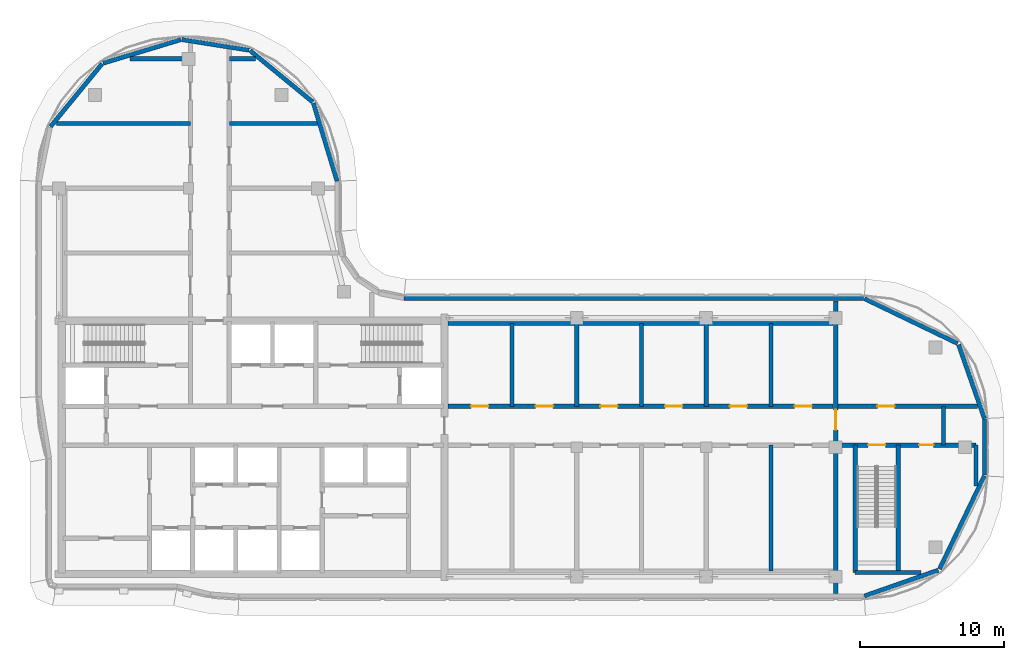
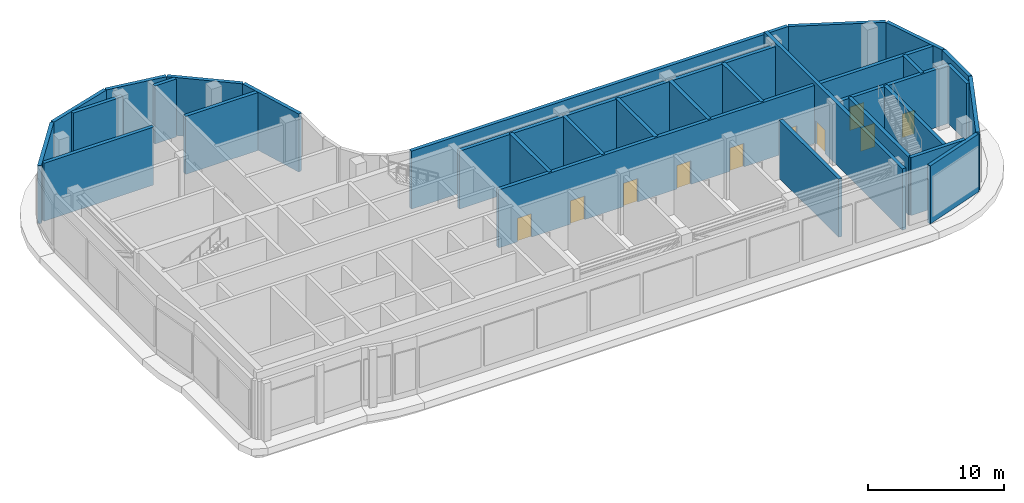
# One storey, part 4 of 14: 31 walls, 10 doors, 10 openings.
"""IFC4 building model written with IfcOpenShell, lengths in metres."""

import ifcopenshell
import ifcopenshell.guid

model = None  # the IFC model being written
_history = None  # IfcOwnerHistory: only IFC2X3 demands one
_inside = {}  # id of a spatial element -> (the spatial element, [elements in it])
_under = {}  # id of a project, library or spatial element -> (it, [spatial elements below it])
_declared = {}  # id of a project -> (the project, [libraries it declares])
_typed = {}  # id of a type object -> (the type object, [elements of that type])
_made_of = {}  # id of a material, layer set ... -> (it, [elements and type objects made of it])


def new_model(schema):
    """Start an empty IFC model of exactly this schema.

    Asked for "IFC4X3", IfcOpenShell would pick the latest addendum, in which some entities
    have other attributes; the version numbers below select the first issue.
    IFC2X3 requires an IfcOwnerHistory on every rooted entity: one is made here for all.
    """
    global model, _history
    if schema == "IFC4X3":
        model = ifcopenshell.file(schema_version=(4, 3, 0, 0))
    else:
        model = ifcopenshell.file(schema=schema)
    _inside.clear()
    _under.clear()
    _declared.clear()
    _typed.clear()
    _made_of.clear()
    _history = None
    if model.schema == "IFC2X3":
        org = make("IfcOrganization", Name="unknown")
        user = make(
            "IfcPersonAndOrganization",
            ThePerson=make("IfcPerson", FamilyName="unknown"),
            TheOrganization=org,
        )
        app = make(
            "IfcApplication",
            ApplicationDeveloper=org,
            Version="unknown",
            ApplicationFullName="unknown",
            ApplicationIdentifier="unknown",
        )
        _history = make(
            "IfcOwnerHistory",
            OwningUser=user,
            OwningApplication=app,
            ChangeAction="ADDED",
            CreationDate=0,
        )
    return model


def make(cls, **values):
    """One entity of the class cls with the attributes given. An attribute that is None is left unset."""
    return model.create_entity(
        cls, **{name: value for name, value in values.items() if value is not None}
    )


def rooted(cls, **values):
    """An entity with a GlobalId (a new one), such as an element, a storey or a relation."""
    return make(cls, GlobalId=ifcopenshell.guid.new(), OwnerHistory=_history, **values)


def si_unit(unit_type, name, prefix=None):
    """IfcSIUnit, for example si_unit("LENGTHUNIT", "METRE", prefix="MILLI")."""
    return make("IfcSIUnit", UnitType=unit_type, Prefix=prefix, Name=name)


def assignment(units):
    """IfcUnitAssignment: the units of a project."""
    return None if units is None else make("IfcUnitAssignment", Units=units)


def point(xyz):
    """IfcCartesianPoint."""
    return None if xyz is None else make("IfcCartesianPoint", Coordinates=xyz)


def direction(xyz):
    """IfcDirection."""
    return None if xyz is None else make("IfcDirection", DirectionRatios=xyz)


def frame(location, z_axis=None, x_axis=None):
    """IfcAxis2Placement3D, a coordinate frame: its origin and axes. An axis left out is left unset."""
    return make(
        "IfcAxis2Placement3D",
        Location=point(location),
        Axis=direction(z_axis),
        RefDirection=direction(x_axis),
    )


def frame_2d(location, x_axis=None):
    """IfcAxis2Placement2D, a coordinate frame in the plane: its origin and x axis."""
    return make(
        "IfcAxis2Placement2D", Location=point(location), RefDirection=direction(x_axis)
    )


def origin():
    """The frame at (0, 0, 0) with its axes left unset."""
    return frame((0.0, 0.0, 0.0))


def place(relative_to, where):
    """IfcLocalPlacement: puts the frame where relative to a parent placement (None: the world)."""
    return make(
        "IfcLocalPlacement", PlacementRelTo=relative_to, RelativePlacement=where
    )


def context(
    kind, dimensions, precision=None, world=None, true_north=None, identifier=None
):
    """IfcGeometricRepresentationContext, for example the 3D "Model" context."""
    return make(
        "IfcGeometricRepresentationContext",
        ContextIdentifier=identifier,
        ContextType=kind,
        CoordinateSpaceDimension=dimensions,
        Precision=precision,
        WorldCoordinateSystem=world,
        TrueNorth=true_north,
    )


def subcontext(parent, identifier, kind, view, scale=None):
    """IfcGeometricRepresentationSubContext, for example "Body" below "Model"."""
    return make(
        "IfcGeometricRepresentationSubContext",
        ContextIdentifier=identifier,
        ContextType=kind,
        ParentContext=parent,
        TargetScale=scale,
        TargetView=view,
    )


def project(units=None, contexts=None):
    """IfcProject with its units and contexts."""
    return rooted(
        "IfcProject",
        Name="project",
        RepresentationContexts=contexts,
        UnitsInContext=assignment(units),
    )


def spatial(cls, under=None, at=None, **own):
    """A site, building, storey or space (cls), placed at a placement, below another one or the project."""
    s = rooted(cls, ObjectPlacement=at, **own)
    if under is not None:
        _under.setdefault(under.id(), (under, []))[1].append(s)
    return s


def profile(cls, at=None, kind="AREA", **sizes):
    """A parametric profile (cls). Its sizes go by their IFC names, for example OverallWidth=200.0."""
    return make(cls, ProfileType=kind, Position=at, **sizes)


def rectangle(**sizes):
    """IfcRectangleProfileDef."""
    return profile("IfcRectangleProfileDef", **sizes)


def extrude(swept, where, along, depth):
    """IfcExtrudedAreaSolid: the profile swept, set in the frame where, extruded along a direction by depth."""
    return make(
        "IfcExtrudedAreaSolid",
        SweptArea=swept,
        Position=where,
        ExtrudedDirection=direction(along),
        Depth=depth,
    )


def shape(context_of_items, identifier, shape_type, items):
    """IfcShapeRepresentation: the items that make up one representation, for example the "Body"."""
    return make(
        "IfcShapeRepresentation",
        ContextOfItems=context_of_items,
        RepresentationIdentifier=identifier,
        RepresentationType=shape_type,
        Items=items,
    )


def material(Name=None, Category=None):
    """IfcMaterial."""
    return make("IfcMaterial", Name=Name, Category=Category)


def layer(
    of_material, thickness, ventilated=None, Name=None, Category=None, Priority=None
):
    """IfcMaterialLayer: one layer of a wall or slab, of a material (None: an air gap)."""
    return make(
        "IfcMaterialLayer",
        Material=of_material,
        LayerThickness=thickness,
        IsVentilated=ventilated,
        Name=Name,
        Category=Category,
        Priority=Priority,
    )


def layer_set(layers, Name=None):
    """IfcMaterialLayerSet."""
    return make("IfcMaterialLayerSet", MaterialLayers=layers, LayerSetName=Name)


def made_of(thing, what):
    """Note that an element or type object is made of a material, layer set ...; save() writes the relation."""
    if what is not None:
        _made_of.setdefault(what.id(), (what, []))[1].append(thing)
    return thing


def type_object(cls, material=None, **own):
    """A type object (cls), such as IfcWallType, which elements share."""
    return made_of(rooted(cls, **own), material)


def element(
    cls,
    number,
    at=None,
    inside=None,
    cuts=None,
    type_object=None,
    material=None,
    context=None,
    identifier="Body",
    shape_type=None,
    held_by="IfcProductDefinitionShape",
    body=None,
    shapes=None,
    **own,
):
    """One element of the class cls, such as IfcWall. Its Tag is "e" and its number.

    at: its placement. inside: the storey or other place that contains it. cuts: it is an
    opening in that element (IfcRelVoidsElement). A single representation is given by context,
    identifier, shape_type and body (its items); several are given by shapes. held_by: the class
    of the entity that holds the representations. save() writes the other relations.
    """
    e = rooted(cls, Tag="e%d" % number, ObjectPlacement=at, **own)
    if body is not None:
        shapes = [shape(context, identifier, shape_type, body)]
    if shapes is not None:
        e.Representation = make(held_by, Representations=shapes)
    if inside is not None:
        _inside.setdefault(inside.id(), (inside, []))[1].append(e)
    if cuts is not None:
        rooted(
            "IfcRelVoidsElement", RelatingBuildingElement=cuts, RelatedOpeningElement=e
        )
    if type_object is not None:
        _typed.setdefault(type_object.id(), (type_object, []))[1].append(e)
    return made_of(e, material)


def fill(opening, filler):
    """IfcRelFillsElement: the door or window that sits in an opening."""
    return rooted(
        "IfcRelFillsElement",
        RelatingOpeningElement=opening,
        RelatedBuildingElement=filler,
    )


def aggregate(whole, parts):
    """IfcRelAggregates: a whole, such as a stair, and the parts it consists of."""
    return rooted("IfcRelAggregates", RelatingObject=whole, RelatedObjects=parts)


def save(model, path):
    """Write the relations noted so far, then the file.

    IfcRelAggregates (storeys below a building ...), IfcRelContainedInSpatialStructure (elements
    in a storey), IfcRelDefinesByType, IfcRelAssociatesMaterial and IfcRelDeclares: one each for
    every whole, place, type object, material and project.
    """
    for whole, parts in _under.values():
        aggregate(whole, parts)
    for where, things in _inside.values():
        rooted(
            "IfcRelContainedInSpatialStructure",
            RelatedElements=things,
            RelatingStructure=where,
        )
    for kind, things in _typed.values():
        rooted("IfcRelDefinesByType", RelatedObjects=things, RelatingType=kind)
    for what, things in _made_of.values():
        rooted("IfcRelAssociatesMaterial", RelatedObjects=things, RelatingMaterial=what)
    for by, libraries in _declared.values():
        rooted("IfcRelDeclares", RelatingContext=by, RelatedDefinitions=libraries)
    model.write(path)


model = new_model("IFC4")

# Units and contexts
model_context = context("Model", 3, precision=1e-05, world=origin(), true_north=direction((0.0, 1.0)))
body_context = subcontext(model_context, "Body", "Model", "MODEL_VIEW")
ifc_project = project(units=[si_unit("LENGTHUNIT", "METRE"), si_unit("AREAUNIT", "SQUARE_METRE"), si_unit("VOLUMEUNIT", "CUBIC_METRE"), si_unit("PLANEANGLEUNIT", "RADIAN"), si_unit("MASSUNIT", "GRAM", prefix="KILO")], contexts=[model_context])

# Site, building, storey
site_placement = place(None, origin())
site = spatial("IfcSite", under=ifc_project, at=site_placement, CompositionType="ELEMENT")
building_placement = place(site_placement, origin())
building = spatial("IfcBuilding", under=site, at=building_placement, Name="Ogive Portal Towers", CompositionType="ELEMENT")
storey_placement = place(building_placement, frame((0.0, 0.0, 243.89990234375)))
storey = spatial("IfcBuildingStorey", under=building, at=storey_placement, Name="L61", CompositionType="ELEMENT", Elevation=243.89990234375)

# Walls
ifc_material_1 = material(Name="Limestone cladding on lightweight block wall", Category="masonry")
ifc_layer_1 = layer(ifc_material_1, 0.300048828125)
ifc_layer_set_1 = layer_set([ifc_layer_1], Name="EXTERNAL WALL 300 STONE")
wall_type_1 = type_object("IfcWallType", Name="EXTERNAL WALL 300 STONE", PredefinedType="SOLIDWALL", material=ifc_layer_set_1)
wall_1_placement = place(storey_placement, frame((87.49853515625, 20.158447265625, 0.0), z_axis=(0.0, 0.0, 1.0), x_axis=(0.943879346284, 0.330290447423, 0.0)))
element("IfcWall", 1, at=wall_1_placement, inside=storey, type_object=wall_type_1, Name="A:L61:f07:r0:wall", PredefinedType="SOLIDWALL", context=body_context, shape_type="SweptSolid", body=[
    extrude(rectangle(XDim=5.439453125, YDim=0.300048828125, at=frame_2d((2.7197265625, 0.0))), origin(), (0.0, 0.0, 1.0), 5.2001953125),
])
wall_2_placement = place(storey_placement, frame((92.718505859375, 22.031494140625, 0.0), z_axis=(0.0, 0.0, 1.0), x_axis=(0.433882040461, 0.90096968593, 0.0)))
element("IfcWall", 2, at=wall_2_placement, inside=storey, type_object=wall_type_1, Name="A:L61:f08:r0:wall", PredefinedType="SOLIDWALL", context=body_context, shape_type="SweptSolid", body=[
    extrude(rectangle(XDim=7.183349609375, YDim=0.300048828125, at=frame_2d((3.591796875, 0.0))), origin(), (0.0, 0.0, 1.0), 5.2001953125),
])
wall_3_placement = place(storey_placement, frame((95.85009765625, 28.568359375, 0.0), z_axis=(0.0, 0.0, 1.0), x_axis=(0.0, 1.0, 0.0)))
element("IfcWall", 3, at=wall_3_placement, inside=storey, type_object=wall_type_1, Name="A:L61:f09:r0:wall", PredefinedType="SOLIDWALL", context=body_context, shape_type="SweptSolid", body=[
    extrude(rectangle(XDim=3.880615234375, YDim=0.300048828125, at=frame_2d((1.9404296875, 0.0))), origin(), (0.0, 0.0, 1.0), 5.2001953125),
])
wall_4_placement = place(storey_placement, frame((95.841552734375, 32.49853515625, 0.0), z_axis=(0.0, 0.0, 1.0), x_axis=(-0.330290447423, 0.943879346284, 0.0)))
element("IfcWall", 4, at=wall_4_placement, inside=storey, type_object=wall_type_1, Name="A:L61:f10:r0:wall", PredefinedType="SOLIDWALL", context=body_context, shape_type="SweptSolid", body=[
    extrude(rectangle(XDim=5.439453125, YDim=0.300048828125, at=frame_2d((2.7197265625, 0.0))), origin(), (0.0, 0.0, 1.0), 5.2001953125),
])
wall_5_placement = place(storey_placement, frame((93.968505859375, 37.718505859375, 0.0), z_axis=(0.0, 0.0, 1.0), x_axis=(-0.90096968593, 0.433882040461, 0.0)))
element("IfcWall", 5, at=wall_5_placement, inside=storey, type_object=wall_type_1, Name="A:L61:f11:r0:wall", PredefinedType="SOLIDWALL", context=body_context, shape_type="SweptSolid", body=[
    extrude(rectangle(XDim=7.183349609375, YDim=0.300048828125, at=frame_2d((3.591796875, 0.0))), origin(), (0.0, 0.0, 1.0), 5.2001953125),
])
wall_6_placement = place(storey_placement, frame((87.431640625, 40.85009765625, 0.0), z_axis=(0.0, 0.0, 1.0), x_axis=(-1.0, 0.0, 0.0)))
element("IfcWall", 6, at=wall_6_placement, inside=storey, type_object=wall_type_1, Name="A:L61:f12:r0:wall", PredefinedType="SOLIDWALL", context=body_context, shape_type="SweptSolid", body=[
    extrude(rectangle(XDim=31.931640625, YDim=0.300048828125, at=frame_2d((15.9658203125, 0.0))), origin(), (0.0, 0.0, 1.0), 5.2001953125),
])
wall_7_placement = place(storey_placement, frame((50.843505859375, 48.9990234375, 0.0), z_axis=(0.0, 0.0, 1.0), x_axis=(-0.290289406989, 0.95693890097, 0.0)))
element("IfcWall", 7, at=wall_7_placement, inside=storey, type_object=wall_type_1, Name="A:L61:f18:r0:wall", PredefinedType="SOLIDWALL", context=body_context, shape_type="SweptSolid", body=[
    extrude(rectangle(XDim=5.670166015625, YDim=0.300048828125, at=frame_2d((2.8349609375, 0.0))), origin(), (0.0, 0.0, 1.0), 5.2001953125),
])
wall_8_placement = place(storey_placement, frame((49.149169921875, 54.49755859375, 0.0), z_axis=(0.0, 0.0, 1.0), x_axis=(-0.773023777565, 0.634377048229, 0.0)))
element("IfcWall", 8, at=wall_8_placement, inside=storey, type_object=wall_type_1, Name="A:L61:f19:r0:wall", PredefinedType="SOLIDWALL", context=body_context, shape_type="SweptSolid", body=[
    extrude(rectangle(XDim=5.633056640625, YDim=0.300048828125, at=frame_2d((2.81640625, 0.0))), origin(), (0.0, 0.0, 1.0), 5.2001953125),
])
wall_9_placement = place(storey_placement, frame((44.722900390625, 58.103271484375, 0.0), z_axis=(0.0, 0.0, 1.0), x_axis=(-0.98779137081, 0.155782565629, 0.0)))
element("IfcWall", 9, at=wall_9_placement, inside=storey, type_object=wall_type_1, Name="A:L61:f20:r0:wall", PredefinedType="SOLIDWALL", context=body_context, shape_type="SweptSolid", body=[
    extrude(rectangle(XDim=4.736083984375, YDim=0.300048828125, at=frame_2d((2.3681640625, 0.0))), origin(), (0.0, 0.0, 1.0), 5.2001953125),
])
wall_10_placement = place(storey_placement, frame((39.977783203125, 58.83642578125, 0.0), z_axis=(0.0, 0.0, 1.0), x_axis=(-0.956941081769, -0.29028221789, 0.0)))
element("IfcWall", 10, at=wall_10_placement, inside=storey, type_object=wall_type_1, Name="A:L61:f21:r0:wall", PredefinedType="SOLIDWALL", context=body_context, shape_type="SweptSolid", body=[
    extrude(rectangle(XDim=5.64599609375, YDim=0.300048828125, at=frame_2d((2.822998046875, 0.0))), origin(), (0.0, 0.0, 1.0), 5.2001953125),
])
wall_11_placement = place(storey_placement, frame((34.50244140625, 57.149169921875, 0.0), z_axis=(0.0, 0.0, 1.0), x_axis=(-0.63439223677, -0.773011312936, 0.0)))
element("IfcWall", 11, at=wall_11_placement, inside=storey, type_object=wall_type_1, Name="A:L61:f22:r0:wall", PredefinedType="SOLIDWALL", context=body_context, shape_type="SweptSolid", body=[
    extrude(rectangle(XDim=5.639404296875, YDim=0.300048828125, at=frame_2d((2.81982421875, 0.0))), origin(), (0.0, 0.0, 1.0), 5.2001953125),
])

# Wall, opening, door
ifc_material_2 = material(Name="Concrete C60/75", Category="concrete")
ifc_layer_2 = layer(ifc_material_2, 0.300048828125)
ifc_layer_set_2 = layer_set([ifc_layer_2], Name="REVEAL WALL 300 C60")
wall_type_2 = type_object("IfcWallType", Name="REVEAL WALL 300 C60", PredefinedType="SHEAR", material=ifc_layer_set_2)
wall_12_placement = place(storey_placement, frame((85.5, 20.35009765625, 0.0), z_axis=(0.0, 0.0, 1.0), x_axis=(0.0, 1.0, 0.0)))
wall_12 = element("IfcWall", 12, at=wall_12_placement, inside=storey, type_object=wall_type_2, Name="Portal reveal wall L61", PredefinedType="SHEAR", context=body_context, shape_type="SweptSolid", body=[
    extrude(rectangle(XDim=20.2998046875, YDim=0.300048828125, at=frame_2d((10.14990234375, 0.0))), origin(), (0.0, 0.0, 1.0), 5.5),
])
opening_1_placement = place(wall_12_placement, frame((11.35009765625, 0.0, 0.0)))
opening_1 = element("IfcOpeningElement", 13, at=opening_1_placement, cuts=wall_12, Name="Opening D27-048", PredefinedType="OPENING", context=body_context, shape_type="SweptSolid", body=[
    extrude(rectangle(XDim=1.39990234375, YDim=2.10009765625, at=frame_2d((0.699951171875, 1.050048828125))), frame((0.0, 0.16015625, 0.0), z_axis=(0.0, -1.0, 0.0), x_axis=(1.0, 0.0, 0.0)), (0.0, 0.0, 1.0), 0.320068359375),
])
ifc_material_3 = material(Name="Steel fire door", Category="steel")
door_type_1 = type_object("IfcDoorType", Name="DT-STAIR-1400x2100-FD90S", OperationType="SINGLE_SWING_LEFT", PredefinedType="DOOR", material=ifc_material_3)
door_1_placement = place(opening_1_placement, origin())
door_1 = element("IfcDoor", 14, at=door_1_placement, inside=storey, type_object=door_type_1, Name="Door D27-048", OperationType="SINGLE_SWING_RIGHT", OverallHeight=2.10009765625, OverallWidth=1.39990234375, PredefinedType="DOOR", context=body_context, shape_type="SweptSolid", body=[
    extrude(rectangle(XDim=1.39990234375, YDim=2.10009765625, at=frame_2d((0.699951171875, 1.050048828125))), frame((0.0, 0.02490234375, 0.0), z_axis=(0.0, -1.0, 0.0), x_axis=(1.0, 0.0, 0.0)), (0.0, 0.0, 1.0), 0.050048828125),
])
fill(opening_1, door_1)

# Wall
ifc_material_4 = material(Name="Concrete C50/60", Category="concrete")
ifc_layer_3 = layer(ifc_material_4, 0.300048828125)
ifc_layer_set_3 = layer_set([ifc_layer_3], Name="STAIR WALL 300 C50")
wall_type_3 = type_object("IfcWallType", Name="STAIR WALL 300 C50", PredefinedType="SHEAR", material=ifc_layer_set_3)
wall_13_placement = place(storey_placement, frame((86.85009765625, 21.800048828125, 0.0), z_axis=(0.0, 0.0, 1.0), x_axis=(1.0, 0.0, 0.0)))
element("IfcWall", 15, at=wall_13_placement, inside=storey, type_object=wall_type_3, Name="Stair wall ST-A4 L61", PredefinedType="SHEAR", context=body_context, shape_type="SweptSolid", body=[
    extrude(rectangle(XDim=4.595947265625, YDim=0.300048828125, at=frame_2d((2.2978515625, 0.0))), origin(), (0.0, 0.0, 1.0), 5.2001953125),
])

# Wall, openings, doors
wall_14_placement = place(storey_placement, frame((85.669921875, 30.64990234375, 0.0), z_axis=(0.0, 0.0, 1.0), x_axis=(1.0, 0.0, 0.0)))
wall_14 = element("IfcWall", 16, at=wall_14_placement, inside=storey, type_object=wall_type_3, Name="Stair wall ST-A4 L61", PredefinedType="SHEAR", context=body_context, shape_type="SweptSolid", body=[
    extrude(rectangle(XDim=9.580078125, YDim=0.300048828125, at=frame_2d((4.7900390625, 0.0))), origin(), (0.0, 0.0, 1.0), 5.2001953125),
])
opening_2_placement = place(wall_14_placement, frame((2.080078125, 0.0, 0.0)))
opening_2 = element("IfcOpeningElement", 17, at=opening_2_placement, cuts=wall_14, Name="Opening D27-045", PredefinedType="OPENING", context=body_context, shape_type="SweptSolid", body=[
    extrude(rectangle(XDim=1.199951171875, YDim=2.10009765625, at=frame_2d((0.60009765625, 1.050048828125))), frame((0.0, 0.16015625, 0.0), z_axis=(0.0, -1.0, 0.0), x_axis=(1.0, 0.0, 0.0)), (0.0, 0.0, 1.0), 0.320068359375),
])
opening_3_placement = place(wall_14_placement, frame((5.6298828125, 0.0, 0.0)))
opening_3 = element("IfcOpeningElement", 18, at=opening_3_placement, cuts=wall_14, Name="Opening D27-047", PredefinedType="OPENING", context=body_context, shape_type="SweptSolid", body=[
    extrude(rectangle(XDim=1.0, YDim=2.10009765625, at=frame_2d((0.5, 1.050048828125))), frame((0.0, 0.16015625, 0.0), z_axis=(0.0, -1.0, 0.0), x_axis=(1.0, 0.0, 0.0)), (0.0, 0.0, 1.0), 0.320068359375),
])
door_type_2 = type_object("IfcDoorType", Name="DT-SERVICE-1000x2100-FD90S", OperationType="SINGLE_SWING_LEFT", PredefinedType="DOOR", material=ifc_material_3)
door_2_placement = place(opening_3_placement, origin())
door_2 = element("IfcDoor", 19, at=door_2_placement, inside=storey, type_object=door_type_2, Name="Riser access door D27-047", OperationType="SINGLE_SWING_LEFT", OverallHeight=2.10009765625, OverallWidth=1.0, PredefinedType="DOOR", context=body_context, shape_type="SweptSolid", body=[
    extrude(rectangle(XDim=1.0, YDim=2.10009765625, at=frame_2d((0.5, 1.050048828125))), frame((0.0, 0.02490234375, 0.0), z_axis=(0.0, -1.0, 0.0), x_axis=(1.0, 0.0, 0.0)), (0.0, 0.0, 1.0), 0.050048828125),
])
fill(opening_3, door_2)
door_type_3 = type_object("IfcDoorType", Name="DT-STAIR-1200x2100-FD90S", OperationType="SINGLE_SWING_LEFT", PredefinedType="DOOR", material=ifc_material_3)
door_3_placement = place(opening_2_placement, origin())
door_3 = element("IfcDoor", 20, at=door_3_placement, inside=storey, type_object=door_type_3, Name="Door D27-045", OperationType="SINGLE_SWING_LEFT", OverallHeight=2.10009765625, OverallWidth=1.199951171875, PredefinedType="DOOR", context=body_context, shape_type="SweptSolid", body=[
    extrude(rectangle(XDim=1.199951171875, YDim=2.10009765625, at=frame_2d((0.60009765625, 1.050048828125))), frame((0.0, 0.02490234375, 0.0), z_axis=(0.0, -1.0, 0.0), x_axis=(1.0, 0.0, 0.0)), (0.0, 0.0, 1.0), 0.050048828125),
])
fill(opening_2, door_3)

# Walls
for number, where, z_axis, x_axis, name in (
    (21, (86.85009765625, 21.800048828125, 0.0), (0.0, 0.0, 1.0), (0.0, 1.0, 0.0), "Stair wall ST-A4 L61"),
    (22, (89.85009765625, 21.800048828125, 0.0), (0.0, 0.0, 1.0), (0.0, 1.0, 0.0), "Stair wall ST-A4 L61"),
):
    element("IfcWall", number, at=place(storey_placement, frame(where, z_axis=z_axis, x_axis=x_axis)), inside=storey, type_object=wall_type_3, Name=name, PredefinedType="SHEAR", context=body_context, shape_type="SweptSolid", body=[
        extrude(rectangle(XDim=8.849853515625, YDim=0.300048828125, at=frame_2d((4.4248046875, 0.0))), origin(), (0.0, 0.0, 1.0), 5.2001953125),
    ])

# Wall, openings, doors
ifc_material_5 = material(Name="Gypsum board partition on steel studs", Category="steel")
ifc_layer_4 = layer(ifc_material_5, 0.300048828125)
ifc_layer_set_4 = layer_set([ifc_layer_4], Name="WT-PART-300-EI 120")
wall_type_4 = type_object("IfcWallType", Name="WT-PART-300-EI 120", PredefinedType="PARTITIONING", material=ifc_layer_set_4)
wall_15_placement = place(storey_placement, frame((58.550048828125, 33.35009765625, 0.0), z_axis=(0.0, 0.0, 1.0), x_axis=(1.0, 0.0, 0.0)))
wall_15 = element("IfcWall", 23, at=wall_15_placement, inside=storey, type_object=wall_type_4, Name="Wall L61:w005", PredefinedType="PARTITIONING", context=body_context, shape_type="SweptSolid", body=[
    extrude(rectangle(XDim=26.780029296875, YDim=0.300048828125, at=frame_2d((13.39013671875, 0.0))), origin(), (0.0, 0.0, 1.0), 5.2001953125),
])
opening_4_placement = place(wall_15_placement, frame((1.60009765625, 0.0, 0.0)))
opening_4 = element("IfcOpeningElement", 24, at=opening_4_placement, cuts=wall_15, Name="Opening D27-025", PredefinedType="OPENING", context=body_context, shape_type="SweptSolid", body=[
    extrude(rectangle(XDim=1.199951171875, YDim=2.10009765625, at=frame_2d((0.60009765625, 1.050048828125))), frame((0.0, 0.16015625, 0.0), z_axis=(0.0, -1.0, 0.0), x_axis=(1.0, 0.0, 0.0)), (0.0, 0.0, 1.0), 0.320068359375),
])
opening_5_placement = place(wall_15_placement, frame((6.10009765625, 0.0, 0.0)))
opening_5 = element("IfcOpeningElement", 25, at=opening_5_placement, cuts=wall_15, Name="Opening D27-026", PredefinedType="OPENING", context=body_context, shape_type="SweptSolid", body=[
    extrude(rectangle(XDim=1.199951171875, YDim=2.10009765625, at=frame_2d((0.60009765625, 1.050048828125))), frame((0.0, 0.16015625, 0.0), z_axis=(0.0, -1.0, 0.0), x_axis=(1.0, 0.0, 0.0)), (0.0, 0.0, 1.0), 0.320068359375),
])
opening_6_placement = place(wall_15_placement, frame((10.60009765625, 0.0, 0.0)))
opening_6 = element("IfcOpeningElement", 26, at=opening_6_placement, cuts=wall_15, Name="Opening D27-029", PredefinedType="OPENING", context=body_context, shape_type="SweptSolid", body=[
    extrude(rectangle(XDim=1.199951171875, YDim=2.10009765625, at=frame_2d((0.60009765625, 1.050048828125))), frame((0.0, 0.16015625, 0.0), z_axis=(0.0, -1.0, 0.0), x_axis=(1.0, 0.0, 0.0)), (0.0, 0.0, 1.0), 0.320068359375),
])
opening_7_placement = place(wall_15_placement, frame((15.10009765625, 0.0, 0.0)))
opening_7 = element("IfcOpeningElement", 27, at=opening_7_placement, cuts=wall_15, Name="Opening D27-030", PredefinedType="OPENING", context=body_context, shape_type="SweptSolid", body=[
    extrude(rectangle(XDim=1.199951171875, YDim=2.10009765625, at=frame_2d((0.60009765625, 1.050048828125))), frame((0.0, 0.16015625, 0.0), z_axis=(0.0, -1.0, 0.0), x_axis=(1.0, 0.0, 0.0)), (0.0, 0.0, 1.0), 0.320068359375),
])
opening_8_placement = place(wall_15_placement, frame((19.60009765625, 0.0, 0.0)))
opening_8 = element("IfcOpeningElement", 28, at=opening_8_placement, cuts=wall_15, Name="Opening D27-033", PredefinedType="OPENING", context=body_context, shape_type="SweptSolid", body=[
    extrude(rectangle(XDim=1.199951171875, YDim=2.10009765625, at=frame_2d((0.60009765625, 1.050048828125))), frame((0.0, 0.16015625, 0.0), z_axis=(0.0, -1.0, 0.0), x_axis=(1.0, 0.0, 0.0)), (0.0, 0.0, 1.0), 0.320068359375),
])
opening_9_placement = place(wall_15_placement, frame((24.10009765625, 0.0, 0.0)))
opening_9 = element("IfcOpeningElement", 29, at=opening_9_placement, cuts=wall_15, Name="Opening D27-034", PredefinedType="OPENING", context=body_context, shape_type="SweptSolid", body=[
    extrude(rectangle(XDim=1.199951171875, YDim=2.10009765625, at=frame_2d((0.60009765625, 1.050048828125))), frame((0.0, 0.16015625, 0.0), z_axis=(0.0, -1.0, 0.0), x_axis=(1.0, 0.0, 0.0)), (0.0, 0.0, 1.0), 0.320068359375),
])
door_type_4 = type_object("IfcDoorType", Name="DT-ENTRY-1200x2100-FD90S", OperationType="SINGLE_SWING_LEFT", PredefinedType="DOOR", material=ifc_material_3)
door_4_placement = place(opening_4_placement, origin())
door_4 = element("IfcDoor", 30, at=door_4_placement, inside=storey, type_object=door_type_4, Name="Door D27-025", OperationType="SINGLE_SWING_LEFT", OverallHeight=2.10009765625, OverallWidth=1.199951171875, PredefinedType="DOOR", context=body_context, shape_type="SweptSolid", body=[
    extrude(rectangle(XDim=1.199951171875, YDim=2.10009765625, at=frame_2d((0.60009765625, 1.050048828125))), frame((0.0, 0.02490234375, 0.0), z_axis=(0.0, -1.0, 0.0), x_axis=(1.0, 0.0, 0.0)), (0.0, 0.0, 1.0), 0.050048828125),
])
fill(opening_4, door_4)
door_5_placement = place(opening_5_placement, origin())
door_5 = element("IfcDoor", 31, at=door_5_placement, inside=storey, type_object=door_type_4, Name="Door D27-026", OperationType="SINGLE_SWING_LEFT", OverallHeight=2.10009765625, OverallWidth=1.199951171875, PredefinedType="DOOR", context=body_context, shape_type="SweptSolid", body=[
    extrude(rectangle(XDim=1.199951171875, YDim=2.10009765625, at=frame_2d((0.60009765625, 1.050048828125))), frame((0.0, 0.02490234375, 0.0), z_axis=(0.0, -1.0, 0.0), x_axis=(1.0, 0.0, 0.0)), (0.0, 0.0, 1.0), 0.050048828125),
])
fill(opening_5, door_5)
door_6_placement = place(opening_6_placement, origin())
door_6 = element("IfcDoor", 32, at=door_6_placement, inside=storey, type_object=door_type_4, Name="Door D27-029", OperationType="SINGLE_SWING_LEFT", OverallHeight=2.10009765625, OverallWidth=1.199951171875, PredefinedType="DOOR", context=body_context, shape_type="SweptSolid", body=[
    extrude(rectangle(XDim=1.199951171875, YDim=2.10009765625, at=frame_2d((0.60009765625, 1.050048828125))), frame((0.0, 0.02490234375, 0.0), z_axis=(0.0, -1.0, 0.0), x_axis=(1.0, 0.0, 0.0)), (0.0, 0.0, 1.0), 0.050048828125),
])
fill(opening_6, door_6)
door_7_placement = place(opening_7_placement, origin())
door_7 = element("IfcDoor", 33, at=door_7_placement, inside=storey, type_object=door_type_4, Name="Door D27-030", OperationType="SINGLE_SWING_RIGHT", OverallHeight=2.10009765625, OverallWidth=1.199951171875, PredefinedType="DOOR", context=body_context, shape_type="SweptSolid", body=[
    extrude(rectangle(XDim=1.199951171875, YDim=2.10009765625, at=frame_2d((0.60009765625, 1.050048828125))), frame((0.0, 0.02490234375, 0.0), z_axis=(0.0, -1.0, 0.0), x_axis=(1.0, 0.0, 0.0)), (0.0, 0.0, 1.0), 0.050048828125),
])
fill(opening_7, door_7)
door_8_placement = place(opening_8_placement, origin())
door_8 = element("IfcDoor", 34, at=door_8_placement, inside=storey, type_object=door_type_4, Name="Door D27-033", OperationType="SINGLE_SWING_RIGHT", OverallHeight=2.10009765625, OverallWidth=1.199951171875, PredefinedType="DOOR", context=body_context, shape_type="SweptSolid", body=[
    extrude(rectangle(XDim=1.199951171875, YDim=2.10009765625, at=frame_2d((0.60009765625, 1.050048828125))), frame((0.0, 0.02490234375, 0.0), z_axis=(0.0, -1.0, 0.0), x_axis=(1.0, 0.0, 0.0)), (0.0, 0.0, 1.0), 0.050048828125),
])
fill(opening_8, door_8)
door_9_placement = place(opening_9_placement, origin())
door_9 = element("IfcDoor", 35, at=door_9_placement, inside=storey, type_object=door_type_4, Name="Door D27-034", OperationType="SINGLE_SWING_LEFT", OverallHeight=2.10009765625, OverallWidth=1.199951171875, PredefinedType="DOOR", context=body_context, shape_type="SweptSolid", body=[
    extrude(rectangle(XDim=1.199951171875, YDim=2.10009765625, at=frame_2d((0.60009765625, 1.050048828125))), frame((0.0, 0.02490234375, 0.0), z_axis=(0.0, -1.0, 0.0), x_axis=(1.0, 0.0, 0.0)), (0.0, 0.0, 1.0), 0.050048828125),
])
fill(opening_9, door_9)

# Wall, opening, door
wall_16_placement = place(storey_placement, frame((85.669921875, 33.35009765625, 0.0), z_axis=(0.0, 0.0, 1.0), x_axis=(1.0, 0.0, 0.0)))
wall_16 = element("IfcWall", 36, at=wall_16_placement, inside=storey, type_object=wall_type_4, Name="Wall L61:w006", PredefinedType="PARTITIONING", context=body_context, shape_type="SweptSolid", body=[
    extrude(rectangle(XDim=9.705078125, YDim=0.300048828125, at=frame_2d((4.8525390625, 0.0))), origin(), (0.0, 0.0, 1.0), 5.2001953125),
])
opening_10_placement = place(wall_16_placement, frame((2.72998046875, 0.0, 0.0)))
opening_10 = element("IfcOpeningElement", 37, at=opening_10_placement, cuts=wall_16, Name="Opening D27-046", PredefinedType="OPENING", context=body_context, shape_type="SweptSolid", body=[
    extrude(rectangle(XDim=1.199951171875, YDim=2.10009765625, at=frame_2d((0.60009765625, 1.050048828125))), frame((0.0, 0.16015625, 0.0), z_axis=(0.0, -1.0, 0.0), x_axis=(1.0, 0.0, 0.0)), (0.0, 0.0, 1.0), 0.320068359375),
])
door_10_placement = place(opening_10_placement, origin())
door_10 = element("IfcDoor", 38, at=door_10_placement, inside=storey, type_object=door_type_3, Name="Door D27-046", OperationType="SINGLE_SWING_LEFT", OverallHeight=2.10009765625, OverallWidth=1.199951171875, PredefinedType="DOOR", context=body_context, shape_type="SweptSolid", body=[
    extrude(rectangle(XDim=1.199951171875, YDim=2.10009765625, at=frame_2d((0.60009765625, 1.050048828125))), frame((0.0, 0.02490234375, 0.0), z_axis=(0.0, -1.0, 0.0), x_axis=(1.0, 0.0, 0.0)), (0.0, 0.0, 1.0), 0.050048828125),
])
fill(opening_10, door_10)

# Walls
wall_17_placement = place(storey_placement, frame((93.0, 30.64990234375, 0.0), z_axis=(0.0, 0.0, 1.0), x_axis=(0.0, 1.0, 0.0)))
element("IfcWall", 39, at=wall_17_placement, inside=storey, type_object=wall_type_4, Name="Wall L61:w033", PredefinedType="PARTITIONING", context=body_context, shape_type="SweptSolid", body=[
    extrude(rectangle(XDim=2.7001953125, YDim=0.300048828125, at=frame_2d((1.35009765625, 0.0))), origin(), (0.0, 0.0, 1.0), 5.2001953125),
])
ifc_layer_5 = layer(ifc_material_5, 0.300048828125)
ifc_layer_set_5 = layer_set([ifc_layer_5], Name="WT-PART-300-EI 60")
wall_type_5 = type_object("IfcWallType", Name="WT-PART-300-EI 60", PredefinedType="PARTITIONING", material=ifc_layer_set_5)
wall_18_placement = place(storey_placement, frame((58.550048828125, 39.10009765625, 0.0), z_axis=(0.0, 0.0, 1.0), x_axis=(1.0, 0.0, 0.0)))
element("IfcWall", 40, at=wall_18_placement, inside=storey, type_object=wall_type_5, Name="Wall L61:w007", PredefinedType="PARTITIONING", context=body_context, shape_type="SweptSolid", body=[
    extrude(rectangle(XDim=26.780029296875, YDim=0.300048828125, at=frame_2d((13.39013671875, 0.0))), origin(), (0.0, 0.0, 1.0), 5.2001953125),
])
wall_19_placement = place(storey_placement, frame((31.35107421875, 53.0, 0.0), z_axis=(0.0, 0.0, 1.0), x_axis=(1.0, 0.0, 0.0)))
element("IfcWall", 41, at=wall_19_placement, inside=storey, type_object=wall_type_5, Name="Wall L61:w012", PredefinedType="PARTITIONING", context=body_context, shape_type="SweptSolid", body=[
    extrude(rectangle(XDim=9.298828125, YDim=0.300048828125, at=frame_2d((4.6494140625, 0.0))), origin(), (0.0, 0.0, 1.0), 5.2001953125),
])
wall_20_placement = place(storey_placement, frame((43.35009765625, 53.0, 0.0), z_axis=(0.0, 0.0, 1.0), x_axis=(1.0, 0.0, 0.0)))
element("IfcWall", 42, at=wall_20_placement, inside=storey, type_object=wall_type_5, Name="Wall L61:w013", PredefinedType="PARTITIONING", context=body_context, shape_type="SweptSolid", body=[
    extrude(rectangle(XDim=6.118896484375, YDim=0.300048828125, at=frame_2d((3.0595703125, 0.0))), origin(), (0.0, 0.0, 1.0), 5.2001953125),
])
wall_21_placement = place(storey_placement, frame((36.43896484375, 57.5, 0.0), z_axis=(0.0, 0.0, 1.0), x_axis=(1.0, 0.0, 0.0)))
element("IfcWall", 43, at=wall_21_placement, inside=storey, type_object=wall_type_5, Name="Wall L61:w014", PredefinedType="PARTITIONING", context=body_context, shape_type="SweptSolid", body=[
    extrude(rectangle(XDim=4.2109375, YDim=0.300048828125, at=frame_2d((2.10546875, 0.0))), origin(), (0.0, 0.0, 1.0), 5.2001953125),
])
wall_22_placement = place(storey_placement, frame((43.35009765625, 57.5, 0.0), z_axis=(0.0, 0.0, 1.0), x_axis=(1.0, 0.0, 0.0)))
element("IfcWall", 44, at=wall_22_placement, inside=storey, type_object=wall_type_5, Name="Wall L61:w015", PredefinedType="PARTITIONING", context=body_context, shape_type="SweptSolid", body=[
    extrude(rectangle(XDim=1.81689453125, YDim=0.300048828125, at=frame_2d((0.908447265625, 0.0))), origin(), (0.0, 0.0, 1.0), 5.2001953125),
])
for number, where, z_axis, x_axis, name in (
    (45, (63.0, 33.35009765625, 0.0), (0.0, 0.0, 1.0), (0.0, 1.0, 0.0), "Wall L61:w022"),
    (46, (67.5, 33.35009765625, 0.0), (0.0, 0.0, 1.0), (0.0, 1.0, 0.0), "Wall L61:w024"),
    (47, (72.0, 33.35009765625, 0.0), (0.0, 0.0, 1.0), (0.0, 1.0, 0.0), "Wall L61:w026"),
    (48, (76.5, 33.35009765625, 0.0), (0.0, 0.0, 1.0), (0.0, 1.0, 0.0), "Wall L61:w028"),
):
    element("IfcWall", number, at=place(storey_placement, frame(where, z_axis=z_axis, x_axis=x_axis)), inside=storey, type_object=wall_type_5, Name=name, PredefinedType="PARTITIONING", context=body_context, shape_type="SweptSolid", body=[
        extrude(rectangle(XDim=5.75, YDim=0.300048828125, at=frame_2d((2.875, 0.0))), origin(), (0.0, 0.0, 1.0), 5.2001953125),
    ])
wall_23_placement = place(storey_placement, frame((81.0, 21.89990234375, 0.0), z_axis=(0.0, 0.0, 1.0), x_axis=(0.0, 1.0, 0.0)))
element("IfcWall", 49, at=wall_23_placement, inside=storey, type_object=wall_type_5, Name="Wall L61:w029", PredefinedType="PARTITIONING", context=body_context, shape_type="SweptSolid", body=[
    extrude(rectangle(XDim=8.75, YDim=0.300048828125, at=frame_2d((4.375, 0.0))), origin(), (0.0, 0.0, 1.0), 5.2001953125),
])
wall_24_placement = place(storey_placement, frame((81.0, 33.35009765625, 0.0), z_axis=(0.0, 0.0, 1.0), x_axis=(0.0, 1.0, 0.0)))
element("IfcWall", 50, at=wall_24_placement, inside=storey, type_object=wall_type_5, Name="Wall L61:w030", PredefinedType="PARTITIONING", context=body_context, shape_type="SweptSolid", body=[
    extrude(rectangle(XDim=5.75, YDim=0.300048828125, at=frame_2d((2.875, 0.0))), origin(), (0.0, 0.0, 1.0), 5.2001953125),
])
wall_25_placement = place(storey_placement, frame((95.25, 27.823974609375, 0.0), z_axis=(0.0, 0.0, 1.0), x_axis=(0.0, 1.0, 0.0)))
element("IfcWall", 51, at=wall_25_placement, inside=storey, type_object=wall_type_5, Name="Wall L61:w034", PredefinedType="PARTITIONING", context=body_context, shape_type="SweptSolid", body=[
    extrude(rectangle(XDim=2.825927734375, YDim=0.300048828125, at=frame_2d((1.4130859375, 0.0))), origin(), (0.0, 0.0, 1.0), 5.2001953125),
])

save(model, "model.ifc")
